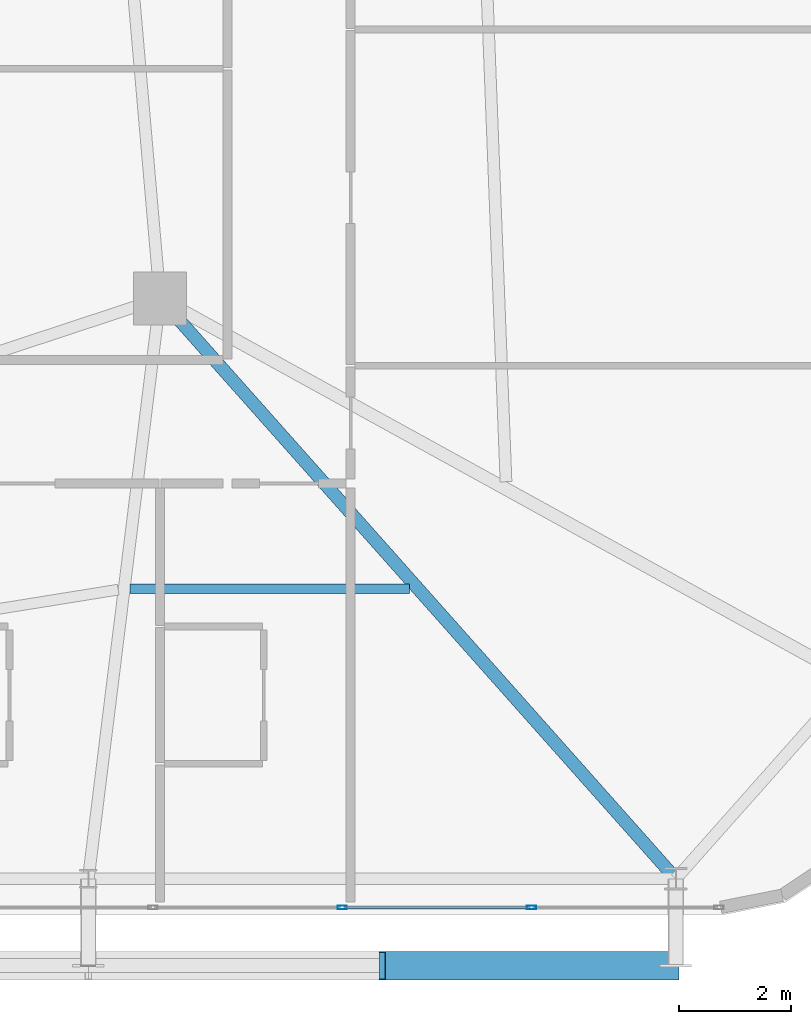
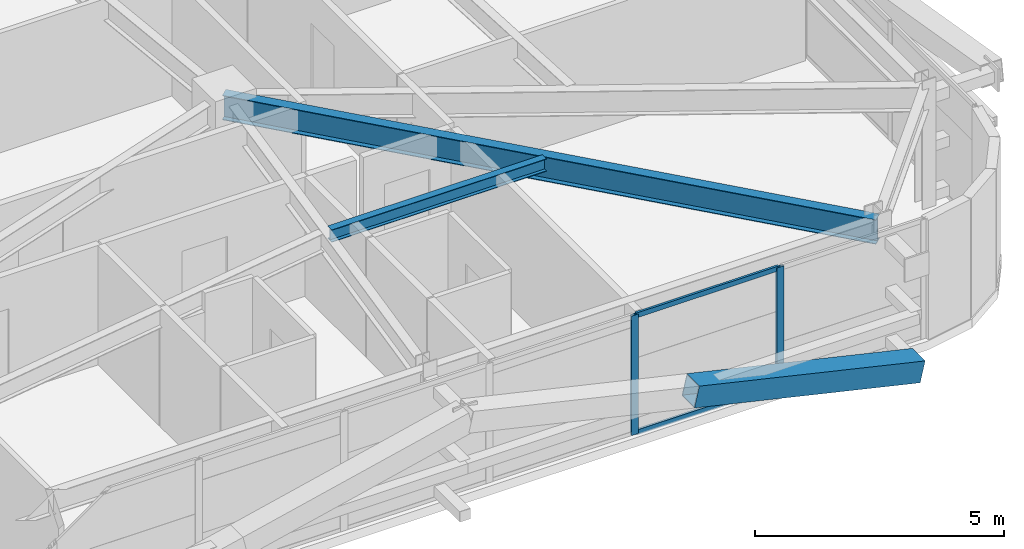
# One storey, part 23 of 59: 5 members, 2 beams, 1 element without a shape of its own.
"""IFC4 building model written with IfcOpenShell, lengths in metres."""

from ifc_helpers import new_model, si_unit, direction, frame, origin, origin_2d, place, context, subcontext, project, spatial, hollow_rectangle, i_section, extrude, source, transform, mapped, material, layer, layer_set, material_profile, profile_set, type_object, element, aggregate, save


model = new_model("IFC4")

# Units and contexts
model_context = context("Model", 3, precision=1e-05, world=origin(), true_north=direction((0.0, 1.0)))
body_context = subcontext(model_context, "Body", "Model", "MODEL_VIEW")
ifc_project = project(units=[si_unit("LENGTHUNIT", "METRE"), si_unit("AREAUNIT", "SQUARE_METRE"), si_unit("VOLUMEUNIT", "CUBIC_METRE"), si_unit("PLANEANGLEUNIT", "RADIAN"), si_unit("MASSUNIT", "GRAM", prefix="KILO")], contexts=[model_context])

# Site, building, storey
site_placement = place(None, origin())
site = spatial("IfcSite", under=ifc_project, at=site_placement, CompositionType="ELEMENT")
building_placement = place(site_placement, origin())
building = spatial("IfcBuilding", under=site, at=building_placement, Name="Taldren Reach Tower", CompositionType="ELEMENT")
storey_placement = place(building_placement, frame((0.0, 0.0, 26.25)))
storey = spatial("IfcBuildingStorey", under=building, at=storey_placement, Name="L07", CompositionType="ELEMENT", Elevation=26.25)

# Beams
ifc_material_1 = material(Name="Steel Gr 350 (350PLUS)", Category="steel")
ifc_material_profile_1 = material_profile(ifc_material_1, i_section(OverallWidth=0.22802734375, OverallDepth=0.60205078125, WebThickness=0.010498046875, FlangeThickness=0.014892578125, at=origin_2d()), Name="610UB101")
ifc_profile_set_1 = profile_set([ifc_material_profile_1], Name="Steel Gr 350 (350PLUS)")
beam_type_1 = type_object("IfcBeamType", Name="BM-UB610B", PredefinedType="BEAM", material=ifc_profile_set_1)
shared_shape_1 = source(origin(), body_context, "Body", "SweptSolid", [
    extrude(i_section(OverallWidth=0.22802734375, OverallDepth=0.60205078125, WebThickness=0.010498046875, FlangeThickness=0.014892578125, at=origin_2d()), origin(), (0.0, 0.0, 1.0), 13.847900390625),
])
beam_1_placement = place(storey_placement, frame((52.0, 12.5, 2.62890625), z_axis=(0.664358367375, -0.747414182164, 0.0), x_axis=(0.747414182164, 0.664358367375, 0.0)))
element("IfcBeam", 1, at=beam_1_placement, inside=storey, type_object=beam_type_1, Name="Primary floor girder B1-S6 L07", PredefinedType="BEAM", context=body_context, shape_type="MappedRepresentation", body=[
    mapped(shared_shape_1, transform((0.0, 0.0, 0.0), scale=1.0)),
])
ifc_material_2 = material(Name="Steel Gr 300 (300PLUS, 300 MPa)", Category="steel")
ifc_material_profile_2 = material_profile(ifc_material_2, i_section(OverallWidth=0.166015625, OverallDepth=0.306884765625, WebThickness=0.006591796875, FlangeThickness=0.01171875, at=origin_2d()), Name="310UB46.2")
ifc_profile_set_2 = profile_set([ifc_material_profile_2], Name="Steel Gr 300 (300PLUS, 300 MPa)")
beam_type_2 = type_object("IfcBeamType", Name="JS-UB310", PredefinedType="JOIST", material=ifc_profile_set_2)
shared_shape_2 = source(origin(), body_context, "Body", "SweptSolid", [
    extrude(i_section(OverallWidth=0.166015625, OverallDepth=0.306884765625, WebThickness=0.006591796875, FlangeThickness=0.01171875, at=origin_2d()), origin(), (0.0, 0.0, 1.0), 4.982177734375),
])
beam_2_placement = place(storey_placement, frame((51.46533203125, 7.324951171875, 2.776611328125), z_axis=(1.0, 0.0, 0.0), x_axis=(0.0, 1.0, 0.0)))
element("IfcBeam", 2, at=beam_2_placement, inside=storey, type_object=beam_type_2, Name="Secondary floor joist B1 J5 L07", PredefinedType="JOIST", context=body_context, shape_type="MappedRepresentation", body=[
    mapped(shared_shape_2, transform((0.0, 0.0, 0.0), scale=1.0)),
])

# Member
ifc_material_3 = material(Name="Steel Gr 450 (C450L0)", Category="steel")
ifc_material_profile_3 = material_profile(ifc_material_3, hollow_rectangle(XDim=0.510009765625, YDim=0.510009765625, WallThickness=0.02001953125, at=origin_2d()), Name="510x510x20.0SHS")
ifc_profile_set_3 = profile_set([ifc_material_profile_3], Name="Steel Gr 450 (C450L0)")
member_type_1 = type_object("IfcMemberType", Name="MB-EXO508", PredefinedType="BRACE", material=ifc_profile_set_3)
shared_shape_3 = source(origin(), body_context, "Body", "SweptSolid", [
    extrude(hollow_rectangle(XDim=0.510009765625, YDim=0.510009765625, WallThickness=0.02001953125, at=origin_2d()), origin(), (0.0, 0.0, 1.0), 5.37890625),
])
member_1_placement = place(storey_placement, frame((61.199951171875, 0.60009765625, 0.219970703125), z_axis=(-0.97415197996, 0.0, 0.225893603143), x_axis=(0.0, -1.0, 0.0)))
element("IfcMember", 3, at=member_1_placement, inside=storey, type_object=member_type_1, Name="Exoskeleton Diagrid Brace B1-S5 L07", PredefinedType="BRACE", context=body_context, shape_type="MappedRepresentation", body=[
    mapped(shared_shape_3, transform((0.0, 0.0, 0.0), scale=1.0)),
])

# Curtain wall, members
ifc_material_4 = material(Name="Aluminium and Low-E Glass Unitised System", Category="aluminium")
ifc_layer = layer(ifc_material_4, 0.159912109375)
ifc_layer_set = layer_set([ifc_layer], Name="Aluminium and Low-E Glass Unitised System")
curtain_wall_type = type_object("IfcCurtainWallType", Name="CW-SYS-2", PredefinedType="NOTDEFINED", material=ifc_layer_set)
curtain_wall_placement = place(storey_placement, origin())
curtain_wall = element("IfcCurtainWall", 4, at=curtain_wall_placement, inside=storey, type_object=curtain_wall_type, Name="Unitised curtain wall CW-L07-S", PredefinedType="NOTDEFINED")
ifc_material_5 = material(Name="Anodised Aluminium 6063-T6", Category="aluminium")
ifc_material_profile_4 = material_profile(ifc_material_5, hollow_rectangle(XDim=0.06494140625, YDim=0.1650390625, WallThickness=0.00390625, at=origin_2d()), Name="ALU-165x65x4RHS")
ifc_profile_set_4 = profile_set([ifc_material_profile_4], Name="Anodised Aluminium 6063-T6")
member_type_2 = type_object("IfcMemberType", Name="CW-MUL-165", PredefinedType="MULLION", material=ifc_profile_set_4)
shared_shape_4 = source(origin(), body_context, "Body", "SweptSolid", [
    extrude(hollow_rectangle(XDim=0.06494140625, YDim=0.1650390625, WallThickness=0.00390625, at=origin_2d()), origin(), (0.0, 0.0, 1.0), 2.929931640625),
])
member_2_placement = place(storey_placement, frame((55.25, 1.639892578125, 0.0), z_axis=(0.0, 0.0, 1.0), x_axis=(0.0, 1.0, 0.0)))
member_2 = element("IfcMember", 5, at=member_2_placement, type_object=member_type_2, Name="CW-2 mullion 15", PredefinedType="MULLION", context=body_context, shape_type="MappedRepresentation", body=[
    mapped(shared_shape_4, transform((0.0, 0.0, 0.0), scale=1.0)),
])
member_3_placement = place(storey_placement, frame((58.625, 1.639892578125, 0.0), z_axis=(0.0, 0.0, 1.0), x_axis=(0.0, 1.0, 0.0)))
member_3 = element("IfcMember", 6, at=member_3_placement, type_object=member_type_2, Name="CW-2 mullion 16", PredefinedType="MULLION", context=body_context, shape_type="MappedRepresentation", body=[
    mapped(shared_shape_4, transform((0.0, 0.0, 0.0), scale=1.0)),
])
ifc_material_profile_5 = material_profile(ifc_material_5, hollow_rectangle(XDim=0.054931640625, YDim=0.1201171875, WallThickness=0.0029296875, at=origin_2d()), Name="ALU-120x55x3RHS")
ifc_profile_set_5 = profile_set([ifc_material_profile_5], Name="Anodised Aluminium 6063-T6")
member_type_3 = type_object("IfcMemberType", Name="CW-TRN-135", PredefinedType="USERDEFINED", material=ifc_profile_set_5)
shared_shape_5 = source(origin(), body_context, "Body", "SweptSolid", [
    extrude(hollow_rectangle(XDim=0.054931640625, YDim=0.1201171875, WallThickness=0.0029296875, at=origin_2d()), origin(), (0.0, 0.0, 1.0), 3.31005859375),
])
member_4_placement = place(storey_placement, frame((55.282470703125, 1.639892578125, 0.027587890625), z_axis=(1.0, 0.0, 0.0), x_axis=(0.0, 1.0, 0.0)))
member_4 = element("IfcMember", 7, at=member_4_placement, type_object=member_type_3, Name="CW-2 transom 15.1", ObjectType="TRANSOM", PredefinedType="USERDEFINED", context=body_context, shape_type="MappedRepresentation", body=[
    mapped(shared_shape_5, transform((0.0, 0.0, 0.0), scale=1.0)),
])
member_5_placement = place(storey_placement, frame((55.282470703125, 1.639892578125, 2.902587890625), z_axis=(1.0, 0.0, 0.0), x_axis=(0.0, 1.0, 0.0)))
member_5 = element("IfcMember", 8, at=member_5_placement, type_object=member_type_3, Name="CW-2 transom 15.2", ObjectType="TRANSOM", PredefinedType="USERDEFINED", context=body_context, shape_type="MappedRepresentation", body=[
    mapped(shared_shape_5, transform((0.0, 0.0, 0.0), scale=1.0)),
])
aggregate(curtain_wall, [member_2, member_3, member_4, member_5])

save(model, "model.ifc")
